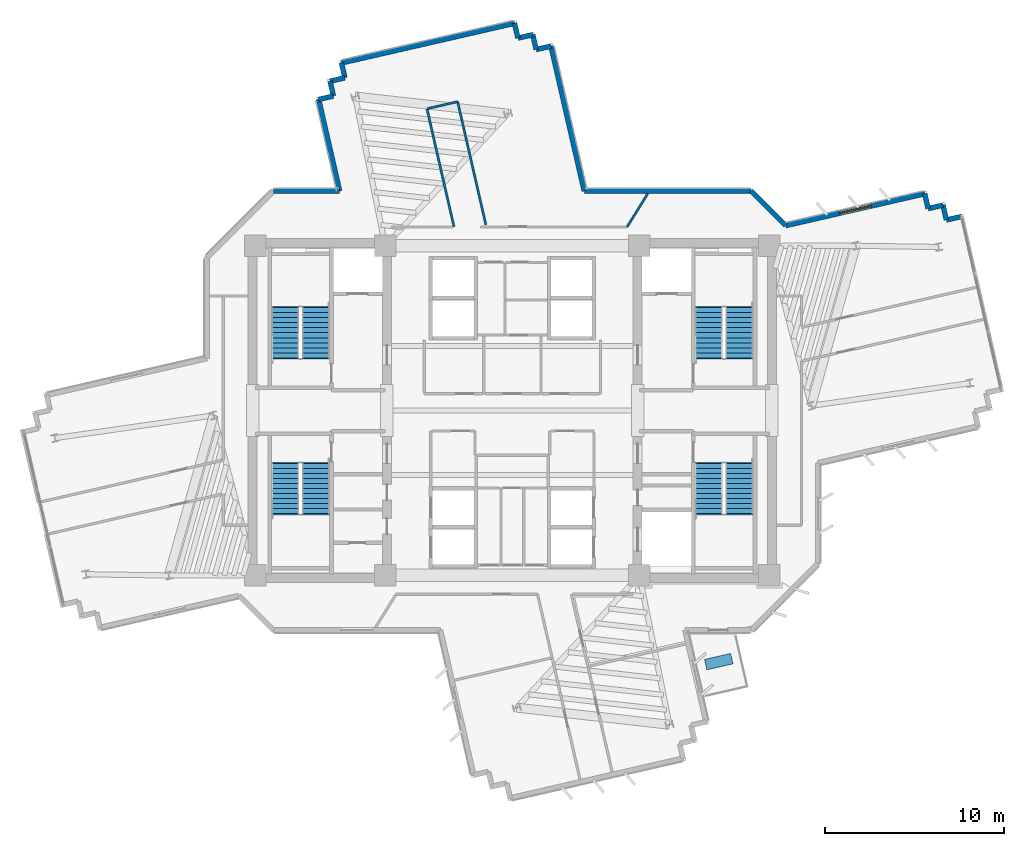
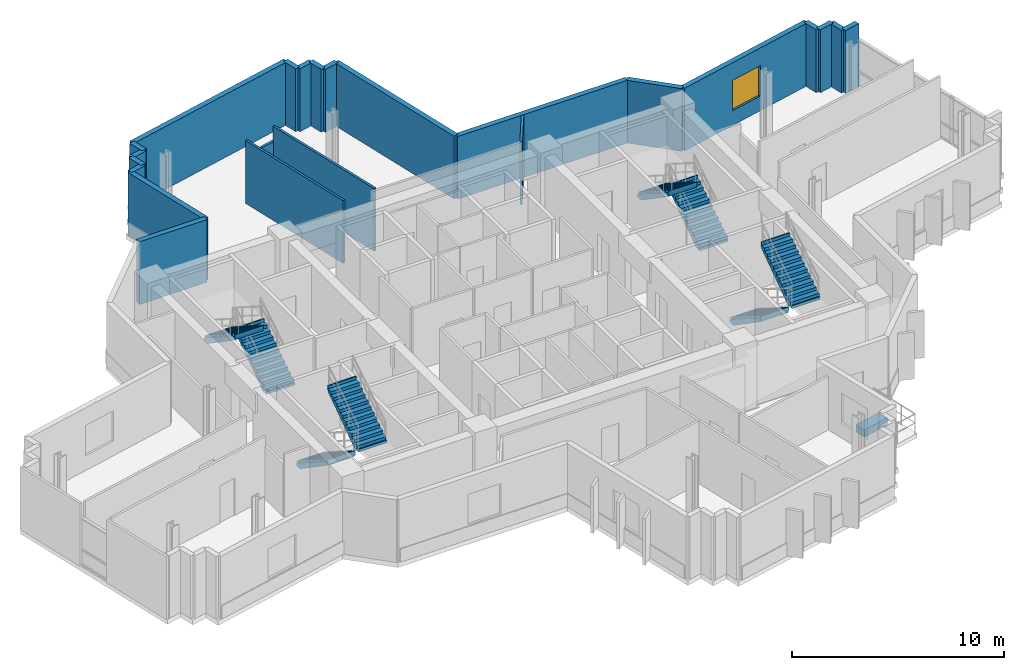
# One storey, part 10 of 13: 23 walls, 8 stair flights, 1 discrete accessory, 1 window, 1 opening, 4 elements without a shape of their own.
"""IFC4 building model written with IfcOpenShell, lengths in metres."""

from ifc_helpers import new_model, si_unit, direction, frame, frame_2d, origin, origin_2d, place, context, subcontext, project, spatial, polyline, rectangle, outline, extrude, source, transform, mapped, material, layer, layer_set, type_object, element, fill, aggregate, save


model = new_model("IFC4")

# Units and contexts
model_context = context("Model", 3, precision=1e-05, world=origin(), true_north=direction((0.0, 1.0)))
body_context = subcontext(model_context, "Body", "Model", "MODEL_VIEW")
ifc_project = project(units=[si_unit("LENGTHUNIT", "METRE"), si_unit("AREAUNIT", "SQUARE_METRE"), si_unit("VOLUMEUNIT", "CUBIC_METRE"), si_unit("PLANEANGLEUNIT", "RADIAN"), si_unit("MASSUNIT", "GRAM", prefix="KILO")], contexts=[model_context])

# Site, building, storey
site_placement = place(None, origin())
site = spatial("IfcSite", under=ifc_project, at=site_placement, CompositionType="ELEMENT")
building_placement = place(site_placement, origin())
building = spatial("IfcBuilding", under=site, at=building_placement, Name="Zahravan Cultural Tower", CompositionType="ELEMENT")
storey_placement = place(building_placement, frame((0.0, 0.0, 178.5)))
storey = spatial("IfcBuildingStorey", under=building, at=storey_placement, Name="L41", CompositionType="ELEMENT", Elevation=178.5)

# Wall, opening, window
ifc_material_1 = material(Name="Precast concrete C40/50", Category="concrete")
ifc_layer_1 = layer(ifc_material_1, 0.280029296875)
ifc_layer_set_1 = layer_set([ifc_layer_1], Name="Precast concrete C40/50")
wall_type_1 = type_object("IfcWallType", Name="EW-TC-280", PredefinedType="SOLIDWALL", material=ifc_layer_set_1)
wall_1_placement = place(storey_placement, frame((51.266845703125, 37.335205078125, 0.0), z_axis=(0.0, 0.0, 1.0), x_axis=(0.974683655327, 0.223588398711, 0.0)))
wall_1 = element("IfcWall", 1, at=wall_1_placement, inside=storey, type_object=wall_type_1, Name="L41 Exterior Masonry Frame Wall 01", PredefinedType="SOLIDWALL", context=body_context, shape_type="SweptSolid", body=[
    extrude(rectangle(XDim=7.96875, YDim=0.280029296875, at=frame_2d((3.984375, 0.0))), origin(), (0.0, 0.0, 1.0), 3.6201171875),
])
opening_placement = place(wall_1_placement, frame((3.083984375, 0.0, 0.85009765625)))
opening = element("IfcOpeningElement", 2, at=opening_placement, cuts=wall_1, Name="Opening WN-02", PredefinedType="OPENING", context=body_context, shape_type="SweptSolid", body=[
    extrude(rectangle(XDim=1.800048828125, YDim=1.75, at=frame_2d((0.89990234375, 0.875))), frame((0.0, 0.14990234375, 0.0), z_axis=(0.0, -1.0, 0.0), x_axis=(1.0, 0.0, 0.0)), (0.0, 0.0, 1.0), 0.300048828125),
])
ifc_material_2 = material(Name="Low-E solar-control double glazing", Category="glass")
window_type = type_object("IfcWindowType", Name="WN-REC-1800X1750", PartitioningType="DOUBLE_PANEL_VERTICAL", PredefinedType="WINDOW", material=ifc_material_2)
shared_shape_1 = source(origin(), body_context, "Body", "SweptSolid", [
    extrude(rectangle(XDim=1.800048828125, YDim=1.75, at=frame_2d((0.89990234375, 0.875))), frame((0.0, 0.030029296875, 0.0), z_axis=(0.0, -1.0, 0.0), x_axis=(1.0, 0.0, 0.0)), (0.0, 0.0, 1.0), 0.06005859375),
])
window_placement = place(opening_placement, origin())
window = element("IfcWindow", 3, at=window_placement, inside=storey, type_object=window_type, Name="L41 Recessed Solar Window 01", OverallHeight=1.75, OverallWidth=1.800048828125, PartitioningType="DOUBLE_PANEL_VERTICAL", PredefinedType="WINDOW", context=body_context, shape_type="MappedRepresentation", body=[
    mapped(shared_shape_1, transform((0.0, 0.0, 0.0), x_axis=(1.0, 0.0, 0.0), y_axis=(0.0, 1.0, 0.0), z_axis=(0.0, 0.0, 1.0), scale=1.0)),
])
fill(opening, window)

# Walls
shared_shape_2 = source(origin(), body_context, "Body", "SweptSolid", [
    extrude(rectangle(XDim=0.85009765625, YDim=0.280029296875, at=frame_2d((0.425048828125, 0.0))), origin(), (0.0, 0.0, 1.0), 3.6201171875),
])
for number, where, z_axis, x_axis, name in (
    (4, (59.033935546875, 39.116943359375, 0.0), (0.0, 0.0, 1.0), (0.223433001597, -0.974719289743, 0.0), "L41 Exterior Masonry Frame Wall 02"),
    (5, (59.223876953125, 38.288330078125, 0.0), (0.0, 0.0, 1.0), (0.974656710285, 0.22370582714, 0.0), "L41 Exterior Masonry Frame Wall 03"),
    (6, (60.052490234375, 38.478515625, 0.0), (0.0, 0.0, 1.0), (0.22370582714, -0.974656710285, 0.0), "L41 Exterior Masonry Frame Wall 04"),
    (7, (26.00830078125, 44.57080078125, 0.0), (0.0, 0.0, 1.0), (-0.223433001597, 0.974719289743, 0.0), "L41 Exterior Masonry Frame Wall 42"),
    (8, (25.818359375, 45.3994140625, 0.0), (0.0, 0.0, 1.0), (0.974719289743, 0.223433001597, 0.0), "L41 Exterior Masonry Frame Wall 43"),
    (9, (36.315673828125, 47.807373046875, 0.0), (0.0, 0.0, 1.0), (0.974719289743, 0.223433001597, 0.0), "L41 Exterior Masonry Frame Wall 47"),
):
    element("IfcWall", number, at=place(storey_placement, frame(where, z_axis=z_axis, x_axis=x_axis)), inside=storey, type_object=wall_type_1, Name=name, PredefinedType="SOLIDWALL", context=body_context, shape_type="MappedRepresentation", body=[
        mapped(shared_shape_2, transform((0.0, 0.0, 0.0), x_axis=(1.0, 0.0, 0.0), y_axis=(0.0, 1.0, 0.0), z_axis=(0.0, 0.0, 1.0), scale=1.0)),
    ])
shared_shape_3 = source(origin(), body_context, "Body", "SweptSolid", [
    extrude(rectangle(XDim=0.849853515625, YDim=0.280029296875, at=frame_2d((0.4248046875, 0.0))), origin(), (0.0, 0.0, 1.0), 3.6201171875),
])
for number, where, z_axis, x_axis, name in (
    (10, (25.179931640625, 44.380859375, 0.0), (0.0, 0.0, 1.0), (0.974704946586, 0.223495563939, 0.0), "L41 Exterior Masonry Frame Wall 41"),
    (11, (26.64697265625, 45.58935546875, 0.0), (0.0, 0.0, 1.0), (-0.223768457828, 0.974642333003, 0.0), "L41 Exterior Masonry Frame Wall 44"),
    (12, (36.12548828125, 48.6357421875, 0.0), (0.0, 0.0, 1.0), (0.223768457828, -0.974642333003, 0.0), "L41 Exterior Masonry Frame Wall 46"),
    (13, (37.144287109375, 47.997314453125, 0.0), (0.0, 0.0, 1.0), (0.223495563939, -0.974704946586, 0.0), "L41 Exterior Masonry Frame Wall 48"),
    (14, (37.334228515625, 47.1689453125, 0.0), (0.0, 0.0, 1.0), (0.974704946586, 0.223495563939, 0.0), "L41 Exterior Masonry Frame Wall 49"),
):
    element("IfcWall", number, at=place(storey_placement, frame(where, z_axis=z_axis, x_axis=x_axis)), inside=storey, type_object=wall_type_1, Name=name, PredefinedType="SOLIDWALL", context=body_context, shape_type="MappedRepresentation", body=[
        mapped(shared_shape_3, transform((0.0, 0.0, 0.0), x_axis=(1.0, 0.0, 0.0), y_axis=(0.0, 1.0, 0.0), z_axis=(0.0, 0.0, 1.0), scale=1.0)),
    ])
shared_shape_4 = source(origin(), body_context, "Body", "SweptSolid", [
    extrude(rectangle(XDim=9.919921875, YDim=0.280029296875, at=frame_2d((4.9599609375, 0.0))), origin(), (0.0, 0.0, 1.0), 3.6201171875),
])
wall_2_placement = place(storey_placement, frame((26.456787109375, 46.417724609375, 0.0), z_axis=(0.0, 0.0, 1.0), x_axis=(0.974682391567, 0.223593907719, 0.0)))
element("IfcWall", 15, at=wall_2_placement, inside=storey, type_object=wall_type_1, Name="L41 Exterior Masonry Frame Wall 45", PredefinedType="SOLIDWALL", context=body_context, shape_type="MappedRepresentation", body=[
    mapped(shared_shape_4, transform((0.0, 0.0, 0.0), x_axis=(1.0, 0.0, 0.0), y_axis=(0.0, 1.0, 0.0), z_axis=(0.0, 0.0, 1.0), scale=1.0)),
])
shared_shape_5 = source(origin(), body_context, "Body", "SweptSolid", [
    extrude(rectangle(XDim=0.849609375, YDim=0.280029296875, at=frame_2d((0.4248046875, 0.0))), origin(), (0.0, 0.0, 1.0), 3.6201171875),
])
wall_3_placement = place(storey_placement, frame((60.24267578125, 37.64990234375, 0.0), z_axis=(0.0, 0.0, 1.0), x_axis=(0.97462794364, 0.22383112267, 0.0)))
element("IfcWall", 16, at=wall_3_placement, inside=storey, type_object=wall_type_1, Name="L41 Exterior Masonry Frame Wall 05", PredefinedType="SOLIDWALL", context=body_context, shape_type="MappedRepresentation", body=[
    mapped(shared_shape_5, transform((0.0, 0.0, 0.0), x_axis=(1.0, 0.0, 0.0), y_axis=(0.0, 1.0, 0.0), z_axis=(0.0, 0.0, 1.0), scale=1.0)),
])
shared_shape_6 = source(origin(), body_context, "Body", "SweptSolid", [
    extrude(rectangle(XDim=2.72216796875, YDim=0.280029296875, at=frame_2d((1.361083984375, 0.0))), origin(), (0.0, 0.0, 1.0), 3.6201171875),
])
wall_4_placement = place(storey_placement, frame((49.342041015625, 39.260009765625, 0.0), z_axis=(0.0, 0.0, 1.0), x_axis=(0.707106781187, -0.707106781187, 0.0)))
element("IfcWall", 17, at=wall_4_placement, inside=storey, type_object=wall_type_1, Name="L41 Exterior Masonry Frame Wall 52", PredefinedType="SOLIDWALL", context=body_context, shape_type="MappedRepresentation", body=[
    mapped(shared_shape_6, transform((0.0, 0.0, 0.0), x_axis=(1.0, 0.0, 0.0), y_axis=(0.0, 1.0, 0.0), z_axis=(0.0, 0.0, 1.0), scale=1.0)),
])
shared_shape_7 = source(origin(), body_context, "Body", "SweptSolid", [
    extrude(rectangle(XDim=3.696533203125, YDim=0.280029296875, at=frame_2d((1.84814453125, 0.0))), origin(), (0.0, 0.0, 1.0), 3.6201171875),
])
wall_5_placement = place(storey_placement, frame((22.657958984375, 39.260009765625, 0.0), z_axis=(0.0, 0.0, 1.0), x_axis=(1.0, 0.0, 0.0)))
element("IfcWall", 18, at=wall_5_placement, inside=storey, type_object=wall_type_1, Name="L41 Exterior Masonry Frame Wall 39", PredefinedType="SOLIDWALL", context=body_context, shape_type="MappedRepresentation", body=[
    mapped(shared_shape_7, transform((0.0, 0.0, 0.0), x_axis=(1.0, 0.0, 0.0), y_axis=(0.0, 1.0, 0.0), z_axis=(0.0, 0.0, 1.0), scale=1.0)),
])
shared_shape_8 = source(origin(), body_context, "Body", "SweptSolid", [
    extrude(rectangle(XDim=5.25390625, YDim=0.280029296875, at=frame_2d((2.626953125, 0.0))), origin(), (0.0, 0.0, 1.0), 3.6201171875),
])
wall_6_placement = place(storey_placement, frame((26.3544921875, 39.260009765625, 0.0), z_axis=(0.0, 0.0, 1.0), x_axis=(-0.223562871808, 0.974689510741, 0.0)))
element("IfcWall", 19, at=wall_6_placement, inside=storey, type_object=wall_type_1, Name="L41 Exterior Masonry Frame Wall 40", PredefinedType="SOLIDWALL", context=body_context, shape_type="MappedRepresentation", body=[
    mapped(shared_shape_8, transform((0.0, 0.0, 0.0), x_axis=(1.0, 0.0, 0.0), y_axis=(0.0, 1.0, 0.0), z_axis=(0.0, 0.0, 1.0), scale=1.0)),
])
shared_shape_9 = source(origin(), body_context, "Body", "SweptSolid", [
    extrude(rectangle(XDim=8.309326171875, YDim=0.280029296875, at=frame_2d((4.15478515625, 0.0))), origin(), (0.0, 0.0, 1.0), 3.6201171875),
])
wall_7_placement = place(storey_placement, frame((38.16259765625, 47.35888671875, 0.0), z_axis=(0.0, 0.0, 1.0), x_axis=(0.223595405455, -0.974682047983, 0.0)))
element("IfcWall", 20, at=wall_7_placement, inside=storey, type_object=wall_type_1, Name="L41 Exterior Masonry Frame Wall 50", PredefinedType="SOLIDWALL", context=body_context, shape_type="MappedRepresentation", body=[
    mapped(shared_shape_9, transform((0.0, 0.0, 0.0), x_axis=(1.0, 0.0, 0.0), y_axis=(0.0, 1.0, 0.0), z_axis=(0.0, 0.0, 1.0), scale=1.0)),
])
shared_shape_10 = source(origin(), body_context, "Body", "SweptSolid", [
    extrude(rectangle(XDim=9.321533203125, YDim=0.280029296875, at=frame_2d((4.66064453125, 0.0))), origin(), (0.0, 0.0, 1.0), 3.6201171875),
])
wall_8_placement = place(storey_placement, frame((40.0205078125, 39.260009765625, 0.0), z_axis=(0.0, 0.0, 1.0), x_axis=(1.0, 0.0, 0.0)))
element("IfcWall", 21, at=wall_8_placement, inside=storey, type_object=wall_type_1, Name="L41 Exterior Masonry Frame Wall 51", PredefinedType="SOLIDWALL", context=body_context, shape_type="MappedRepresentation", body=[
    mapped(shared_shape_10, transform((0.0, 0.0, 0.0), x_axis=(1.0, 0.0, 0.0), y_axis=(0.0, 1.0, 0.0), z_axis=(0.0, 0.0, 1.0), scale=1.0)),
])
ifc_material_3 = material(Name="Gypsum plasterboard partition")
ifc_layer_2 = layer(ifc_material_3, 0.125)
ifc_layer_set_2 = layer_set([ifc_layer_2], Name="Gypsum plasterboard partition")
wall_type_2 = type_object("IfcWallType", Name="W-PART-125", PredefinedType="PARTITIONING", material=ifc_layer_set_2)
shared_shape_11 = source(origin(), body_context, "Body", "SweptSolid", [
    extrude(rectangle(XDim=2.182861328125, YDim=0.125, at=frame_2d((1.09130859375, 0.0))), origin(), (0.0, 0.0, 1.0), 3.6201171875),
])
wall_9_placement = place(storey_placement, frame((42.4091796875, 37.260009765625, 0.0), z_axis=(0.0, 0.0, 1.0), x_axis=(0.527120623754, 0.849790473007, 0.0)))
element("IfcWall", 22, at=wall_9_placement, inside=storey, type_object=wall_type_2, Name="L41 Interior Wall 104", PredefinedType="PARTITIONING", context=body_context, shape_type="MappedRepresentation", body=[
    mapped(shared_shape_11, transform((0.0, 0.0, 0.0), x_axis=(1.0, 0.0, 0.0), y_axis=(0.0, 1.0, 0.0), z_axis=(0.0, 0.0, 1.0), scale=1.0)),
])
shared_shape_12 = source(origin(), body_context, "Body", "SweptSolid", [
    extrude(rectangle(XDim=6.768798828125, YDim=0.125, at=frame_2d((3.38427734375, 0.0))), origin(), (0.0, 0.0, 1.0), 3.6201171875),
])
wall_10_placement = place(storey_placement, frame((31.232666015625, 43.858154296875, 0.0), z_axis=(0.0, 0.0, 1.0), x_axis=(0.223189104044, -0.974775165787, 0.0)))
element("IfcWall", 23, at=wall_10_placement, inside=storey, type_object=wall_type_2, Name="L41 Interior Wall 112", PredefinedType="PARTITIONING", context=body_context, shape_type="MappedRepresentation", body=[
    mapped(shared_shape_12, transform((0.0, 0.0, 0.0), x_axis=(1.0, 0.0, 0.0), y_axis=(0.0, 1.0, 0.0), z_axis=(0.0, 0.0, 1.0), scale=1.0)),
])
shared_shape_13 = source(origin(), body_context, "Body", "SweptSolid", [
    extrude(rectangle(XDim=7.033447265625, YDim=0.125, at=frame_2d((3.5166015625, 0.0))), origin(), (0.0, 0.0, 1.0), 3.6201171875),
])
wall_11_placement = place(storey_placement, frame((34.52001953125, 37.387939453125, 0.0), z_axis=(0.0, 0.0, 1.0), x_axis=(-0.223607001963, 0.974679387631, 0.0)))
element("IfcWall", 24, at=wall_11_placement, inside=storey, type_object=wall_type_2, Name="L41 Interior Wall 115", PredefinedType="PARTITIONING", context=body_context, shape_type="MappedRepresentation", body=[
    mapped(shared_shape_13, transform((0.0, 0.0, 0.0), x_axis=(1.0, 0.0, 0.0), y_axis=(0.0, 1.0, 0.0), z_axis=(0.0, 0.0, 1.0), scale=1.0)),
])
shared_shape_14 = source(origin(), body_context, "Body", "SweptSolid", [
    extrude(rectangle(XDim=1.724609375, YDim=0.125, at=frame_2d((0.8623046875, 0.0))), origin(), (0.0, 0.0, 1.0), 2.761962890625),
])
wall_12_placement = place(storey_placement, frame((32.940185546875, 44.25146484375, 0.0), z_axis=(0.0, 0.0, 1.0), x_axis=(-0.974472248715, -0.224507987574, 0.0)))
element("IfcWall", 25, at=wall_12_placement, inside=storey, type_object=wall_type_2, Name="L41 Interior Wall 116", PredefinedType="PARTITIONING", context=body_context, shape_type="MappedRepresentation", body=[
    mapped(shared_shape_14, transform((0.0, 0.0, 0.0), x_axis=(1.0, 0.0, 0.0), y_axis=(0.0, 1.0, 0.0), z_axis=(0.0, 0.0, 1.0), scale=1.0)),
])

# Stair, stair flights
ifc_material_4 = material(Name="Concrete C45/55", Category="concrete")
stair_type = type_object("IfcStairType", Name="STR-DL-1550-390", PredefinedType="HALF_TURN_STAIR", material=ifc_material_4)
stair_1_placement = place(storey_placement, origin())
stair_1 = element("IfcStair", 26, at=stair_1_placement, inside=storey, type_object=stair_type, Name="L41 West Core North Exit Stair ST-W1", PredefinedType="HALF_TURN_STAIR")
stair_flight_type = type_object("IfcStairFlightType", Name="FLG-DL-1550-390", PredefinedType="STRAIGHT", material=ifc_material_4)
stair_flight_1_placement = place(storey_placement, frame((25.02490234375, 29.949951171875, 0.0), z_axis=(0.0, 0.0, 1.0), x_axis=(0.0, 1.0, 0.0)))
stair_flight_1 = element("IfcStairFlight", 27, at=stair_flight_1_placement, type_object=stair_flight_type, Name="ST-W1 flight 1", NumberOfRisers=11, NumberOfTreads=10, PredefinedType="STRAIGHT", RiserHeight=0.177272727, TreadLength=0.28, context=body_context, shape_type="SweptSolid", body=[
    extrude(outline(polyline([(-0.06494140625, -0.139892578125), (-0.06494140625, 0.0), (0.0, 0.0), (0.0, 0.17724609375), (0.280029296875, 0.17724609375), (0.280029296875, 0.3544921875), (0.56005859375, 0.3544921875), (0.56005859375, 0.53173828125), (0.840087890625, 0.53173828125), (0.840087890625, 0.708984375), (1.1201171875, 0.708984375), (1.1201171875, 0.886474609375), (1.39990234375, 0.886474609375), (1.39990234375, 1.063720703125), (1.679931640625, 1.063720703125), (1.679931640625, 1.240966796875), (1.9599609375, 1.240966796875), (1.9599609375, 1.418212890625), (2.239990234375, 1.418212890625), (2.239990234375, 1.595458984375), (2.52001953125, 1.595458984375), (2.52001953125, 1.772705078125), (2.800048828125, 1.772705078125), (2.800048828125, 1.949951171875), (2.864990234375, 1.949951171875), (2.864990234375, 1.800048828125), (2.800048828125, 1.59521484375), (0.2802734375, -0.139892578125), (-0.06494140625, -0.139892578125)])), frame((0.0, 0.77490234375, 0.0), z_axis=(0.0, -1.0, 0.0), x_axis=(1.0, 0.0, 0.0)), (0.0, 0.0, 1.0), 1.550048828125),
])
stair_flight_2_placement = place(storey_placement, frame((23.324951171875, 32.75, 1.949951171875), z_axis=(0.0, 0.0, 1.0), x_axis=(0.0, -1.0, 0.0)))
stair_flight_2 = element("IfcStairFlight", 28, at=stair_flight_2_placement, type_object=stair_flight_type, Name="ST-W1 flight 2", NumberOfRisers=11, NumberOfTreads=10, PredefinedType="STRAIGHT", RiserHeight=0.177272727, TreadLength=0.28, context=body_context, shape_type="SweptSolid", body=[
    extrude(outline(polyline([(-0.06494140625, -0.139892578125), (-0.06494140625, 0.0), (0.0, 0.0), (0.0, 0.17724609375), (0.280029296875, 0.17724609375), (0.280029296875, 0.3544921875), (0.56005859375, 0.3544921875), (0.56005859375, 0.53173828125), (0.840087890625, 0.53173828125), (0.840087890625, 0.708984375), (1.1201171875, 0.708984375), (1.1201171875, 0.886474609375), (1.39990234375, 0.886474609375), (1.39990234375, 1.063720703125), (1.679931640625, 1.063720703125), (1.679931640625, 1.240966796875), (1.9599609375, 1.240966796875), (1.9599609375, 1.418212890625), (2.239990234375, 1.418212890625), (2.239990234375, 1.595458984375), (2.52001953125, 1.595458984375), (2.52001953125, 1.772705078125), (2.800048828125, 1.772705078125), (2.800048828125, 1.949951171875), (2.864990234375, 1.949951171875), (2.864990234375, 1.800048828125), (2.800048828125, 1.59521484375), (0.2802734375, -0.139892578125), (-0.06494140625, -0.139892578125)])), frame((0.0, 0.77490234375, 0.0), z_axis=(0.0, -1.0, 0.0), x_axis=(1.0, 0.0, 0.0)), (0.0, 0.0, 1.0), 1.550048828125),
])
aggregate(stair_1, [stair_flight_1, stair_flight_2])

stair_2_placement = place(storey_placement, origin())
stair_2 = element("IfcStair", 29, at=stair_2_placement, inside=storey, type_object=stair_type, Name="L41 West Core South Exit Stair ST-W2", PredefinedType="HALF_TURN_STAIR")
stair_flight_3_placement = place(storey_placement, frame((23.324951171875, 24.050048828125, 0.0), z_axis=(0.0, 0.0, 1.0), x_axis=(0.0, -1.0, 0.0)))
stair_flight_3 = element("IfcStairFlight", 30, at=stair_flight_3_placement, type_object=stair_flight_type, Name="ST-W2 flight 1", NumberOfRisers=11, NumberOfTreads=10, PredefinedType="STRAIGHT", RiserHeight=0.177272727, TreadLength=0.28, context=body_context, shape_type="SweptSolid", body=[
    extrude(outline(polyline([(-0.06494140625, -0.139892578125), (-0.06494140625, 0.0), (0.0, 0.0), (0.0, 0.17724609375), (0.280029296875, 0.17724609375), (0.280029296875, 0.3544921875), (0.56005859375, 0.3544921875), (0.56005859375, 0.53173828125), (0.840087890625, 0.53173828125), (0.840087890625, 0.708984375), (1.1201171875, 0.708984375), (1.1201171875, 0.886474609375), (1.39990234375, 0.886474609375), (1.39990234375, 1.063720703125), (1.679931640625, 1.063720703125), (1.679931640625, 1.240966796875), (1.9599609375, 1.240966796875), (1.9599609375, 1.418212890625), (2.239990234375, 1.418212890625), (2.239990234375, 1.595458984375), (2.52001953125, 1.595458984375), (2.52001953125, 1.772705078125), (2.800048828125, 1.772705078125), (2.800048828125, 1.949951171875), (2.864990234375, 1.949951171875), (2.864990234375, 1.800048828125), (2.800048828125, 1.59521484375), (0.2802734375, -0.139892578125), (-0.06494140625, -0.139892578125)])), frame((0.0, 0.77490234375, 0.0), z_axis=(0.0, -1.0, 0.0), x_axis=(1.0, 0.0, 0.0)), (0.0, 0.0, 1.0), 1.550048828125),
])
stair_flight_4_placement = place(storey_placement, frame((25.02490234375, 21.25, 1.949951171875), z_axis=(0.0, 0.0, 1.0), x_axis=(0.0, 1.0, 0.0)))
stair_flight_4 = element("IfcStairFlight", 31, at=stair_flight_4_placement, type_object=stair_flight_type, Name="ST-W2 flight 2", NumberOfRisers=11, NumberOfTreads=10, PredefinedType="STRAIGHT", RiserHeight=0.177272727, TreadLength=0.28, context=body_context, shape_type="SweptSolid", body=[
    extrude(outline(polyline([(-0.06494140625, -0.139892578125), (-0.06494140625, 0.0), (0.0, 0.0), (0.0, 0.17724609375), (0.280029296875, 0.17724609375), (0.280029296875, 0.3544921875), (0.56005859375, 0.3544921875), (0.56005859375, 0.53173828125), (0.840087890625, 0.53173828125), (0.840087890625, 0.708984375), (1.1201171875, 0.708984375), (1.1201171875, 0.886474609375), (1.39990234375, 0.886474609375), (1.39990234375, 1.063720703125), (1.679931640625, 1.063720703125), (1.679931640625, 1.240966796875), (1.9599609375, 1.240966796875), (1.9599609375, 1.418212890625), (2.239990234375, 1.418212890625), (2.239990234375, 1.595458984375), (2.52001953125, 1.595458984375), (2.52001953125, 1.772705078125), (2.800048828125, 1.772705078125), (2.800048828125, 1.949951171875), (2.864990234375, 1.949951171875), (2.864990234375, 1.800048828125), (2.800048828125, 1.59521484375), (0.2802734375, -0.139892578125), (-0.06494140625, -0.139892578125)])), frame((0.0, 0.77490234375, 0.0), z_axis=(0.0, -1.0, 0.0), x_axis=(1.0, 0.0, 0.0)), (0.0, 0.0, 1.0), 1.550048828125),
])
aggregate(stair_2, [stair_flight_3, stair_flight_4])

stair_3_placement = place(storey_placement, origin())
stair_3 = element("IfcStair", 32, at=stair_3_placement, inside=storey, type_object=stair_type, Name="L41 East Core North Exit Stair ST-E1", PredefinedType="HALF_TURN_STAIR")
stair_flight_5_placement = place(storey_placement, frame((48.675048828125, 29.949951171875, 0.0), z_axis=(0.0, 0.0, 1.0), x_axis=(0.0, 1.0, 0.0)))
stair_flight_5 = element("IfcStairFlight", 33, at=stair_flight_5_placement, type_object=stair_flight_type, Name="ST-E1 flight 1", NumberOfRisers=11, NumberOfTreads=10, PredefinedType="STRAIGHT", RiserHeight=0.177272727, TreadLength=0.28, context=body_context, shape_type="SweptSolid", body=[
    extrude(outline(polyline([(-0.06494140625, -0.139892578125), (-0.06494140625, 0.0), (0.0, 0.0), (0.0, 0.17724609375), (0.280029296875, 0.17724609375), (0.280029296875, 0.3544921875), (0.56005859375, 0.3544921875), (0.56005859375, 0.53173828125), (0.840087890625, 0.53173828125), (0.840087890625, 0.708984375), (1.1201171875, 0.708984375), (1.1201171875, 0.886474609375), (1.39990234375, 0.886474609375), (1.39990234375, 1.063720703125), (1.679931640625, 1.063720703125), (1.679931640625, 1.240966796875), (1.9599609375, 1.240966796875), (1.9599609375, 1.418212890625), (2.239990234375, 1.418212890625), (2.239990234375, 1.595458984375), (2.52001953125, 1.595458984375), (2.52001953125, 1.772705078125), (2.800048828125, 1.772705078125), (2.800048828125, 1.949951171875), (2.864990234375, 1.949951171875), (2.864990234375, 1.800048828125), (2.800048828125, 1.59521484375), (0.2802734375, -0.139892578125), (-0.06494140625, -0.139892578125)])), frame((0.0, 0.77490234375, 0.0), z_axis=(0.0, -1.0, 0.0), x_axis=(1.0, 0.0, 0.0)), (0.0, 0.0, 1.0), 1.550048828125),
])
stair_flight_6_placement = place(storey_placement, frame((46.97509765625, 32.75, 1.949951171875), z_axis=(0.0, 0.0, 1.0), x_axis=(0.0, -1.0, 0.0)))
stair_flight_6 = element("IfcStairFlight", 34, at=stair_flight_6_placement, type_object=stair_flight_type, Name="ST-E1 flight 2", NumberOfRisers=11, NumberOfTreads=10, PredefinedType="STRAIGHT", RiserHeight=0.177272727, TreadLength=0.28, context=body_context, shape_type="SweptSolid", body=[
    extrude(outline(polyline([(-0.06494140625, -0.139892578125), (-0.06494140625, 0.0), (0.0, 0.0), (0.0, 0.17724609375), (0.280029296875, 0.17724609375), (0.280029296875, 0.3544921875), (0.56005859375, 0.3544921875), (0.56005859375, 0.53173828125), (0.840087890625, 0.53173828125), (0.840087890625, 0.708984375), (1.1201171875, 0.708984375), (1.1201171875, 0.886474609375), (1.39990234375, 0.886474609375), (1.39990234375, 1.063720703125), (1.679931640625, 1.063720703125), (1.679931640625, 1.240966796875), (1.9599609375, 1.240966796875), (1.9599609375, 1.418212890625), (2.239990234375, 1.418212890625), (2.239990234375, 1.595458984375), (2.52001953125, 1.595458984375), (2.52001953125, 1.772705078125), (2.800048828125, 1.772705078125), (2.800048828125, 1.949951171875), (2.864990234375, 1.949951171875), (2.864990234375, 1.800048828125), (2.800048828125, 1.59521484375), (0.2802734375, -0.139892578125), (-0.06494140625, -0.139892578125)])), frame((0.0, 0.77490234375, 0.0), z_axis=(0.0, -1.0, 0.0), x_axis=(1.0, 0.0, 0.0)), (0.0, 0.0, 1.0), 1.550048828125),
])
aggregate(stair_3, [stair_flight_5, stair_flight_6])

stair_4_placement = place(storey_placement, origin())
stair_4 = element("IfcStair", 35, at=stair_4_placement, inside=storey, type_object=stair_type, Name="L41 East Core South Exit Stair ST-E2", PredefinedType="HALF_TURN_STAIR")
stair_flight_7_placement = place(storey_placement, frame((46.97509765625, 24.050048828125, 0.0), z_axis=(0.0, 0.0, 1.0), x_axis=(0.0, -1.0, 0.0)))
stair_flight_7 = element("IfcStairFlight", 36, at=stair_flight_7_placement, type_object=stair_flight_type, Name="ST-E2 flight 1", NumberOfRisers=11, NumberOfTreads=10, PredefinedType="STRAIGHT", RiserHeight=0.177272727, TreadLength=0.28, context=body_context, shape_type="SweptSolid", body=[
    extrude(outline(polyline([(-0.06494140625, -0.139892578125), (-0.06494140625, 0.0), (0.0, 0.0), (0.0, 0.17724609375), (0.280029296875, 0.17724609375), (0.280029296875, 0.3544921875), (0.56005859375, 0.3544921875), (0.56005859375, 0.53173828125), (0.840087890625, 0.53173828125), (0.840087890625, 0.708984375), (1.1201171875, 0.708984375), (1.1201171875, 0.886474609375), (1.39990234375, 0.886474609375), (1.39990234375, 1.063720703125), (1.679931640625, 1.063720703125), (1.679931640625, 1.240966796875), (1.9599609375, 1.240966796875), (1.9599609375, 1.418212890625), (2.239990234375, 1.418212890625), (2.239990234375, 1.595458984375), (2.52001953125, 1.595458984375), (2.52001953125, 1.772705078125), (2.800048828125, 1.772705078125), (2.800048828125, 1.949951171875), (2.864990234375, 1.949951171875), (2.864990234375, 1.800048828125), (2.800048828125, 1.59521484375), (0.2802734375, -0.139892578125), (-0.06494140625, -0.139892578125)])), frame((0.0, 0.77490234375, 0.0), z_axis=(0.0, -1.0, 0.0), x_axis=(1.0, 0.0, 0.0)), (0.0, 0.0, 1.0), 1.550048828125),
])
stair_flight_8_placement = place(storey_placement, frame((48.675048828125, 21.25, 1.949951171875), z_axis=(0.0, 0.0, 1.0), x_axis=(0.0, 1.0, 0.0)))
stair_flight_8 = element("IfcStairFlight", 37, at=stair_flight_8_placement, type_object=stair_flight_type, Name="ST-E2 flight 2", NumberOfRisers=11, NumberOfTreads=10, PredefinedType="STRAIGHT", RiserHeight=0.177272727, TreadLength=0.28, context=body_context, shape_type="SweptSolid", body=[
    extrude(outline(polyline([(-0.06494140625, -0.139892578125), (-0.06494140625, 0.0), (0.0, 0.0), (0.0, 0.17724609375), (0.280029296875, 0.17724609375), (0.280029296875, 0.3544921875), (0.56005859375, 0.3544921875), (0.56005859375, 0.53173828125), (0.840087890625, 0.53173828125), (0.840087890625, 0.708984375), (1.1201171875, 0.708984375), (1.1201171875, 0.886474609375), (1.39990234375, 0.886474609375), (1.39990234375, 1.063720703125), (1.679931640625, 1.063720703125), (1.679931640625, 1.240966796875), (1.9599609375, 1.240966796875), (1.9599609375, 1.418212890625), (2.239990234375, 1.418212890625), (2.239990234375, 1.595458984375), (2.52001953125, 1.595458984375), (2.52001953125, 1.772705078125), (2.800048828125, 1.772705078125), (2.800048828125, 1.949951171875), (2.864990234375, 1.949951171875), (2.864990234375, 1.800048828125), (2.800048828125, 1.59521484375), (0.2802734375, -0.139892578125), (-0.06494140625, -0.139892578125)])), frame((0.0, 0.77490234375, 0.0), z_axis=(0.0, -1.0, 0.0), x_axis=(1.0, 0.0, 0.0)), (0.0, 0.0, 1.0), 1.550048828125),
])
aggregate(stair_4, [stair_flight_7, stair_flight_8])

# Discrete accessory
ifc_material_5 = material(Name="Planted soil and terracotta planter", Category="masonry")
discrete_accessory_type = type_object("IfcDiscreteAccessoryType", Name="ACC-PLANTER-TC", PredefinedType="USERDEFINED", material=ifc_material_5)
shared_shape_15 = source(origin(), body_context, "Body", "SweptSolid", [
    extrude(rectangle(XDim=1.5, YDim=0.60009765625, at=origin_2d()), origin(), (0.0, 0.0, 1.0), 0.419921875),
])
discrete_accessory_placement = place(storey_placement, frame((47.528564453125, 12.98291015625, 0.0), z_axis=(0.0, 0.0, 1.0), x_axis=(0.974683205815, 0.223590358248, 0.0)))
element("IfcDiscreteAccessory", 38, at=discrete_accessory_placement, inside=storey, type_object=discrete_accessory_type, Name="L41 Terracotta Sculpture Planter SE", ObjectType="PLANTER", PredefinedType="USERDEFINED", context=body_context, shape_type="MappedRepresentation", body=[
    mapped(shared_shape_15, transform((0.0, 0.0, 0.0), x_axis=(1.0, 0.0, 0.0), y_axis=(0.0, 1.0, 0.0), z_axis=(0.0, 0.0, 1.0), scale=1.0)),
])

save(model, "model.ifc")
